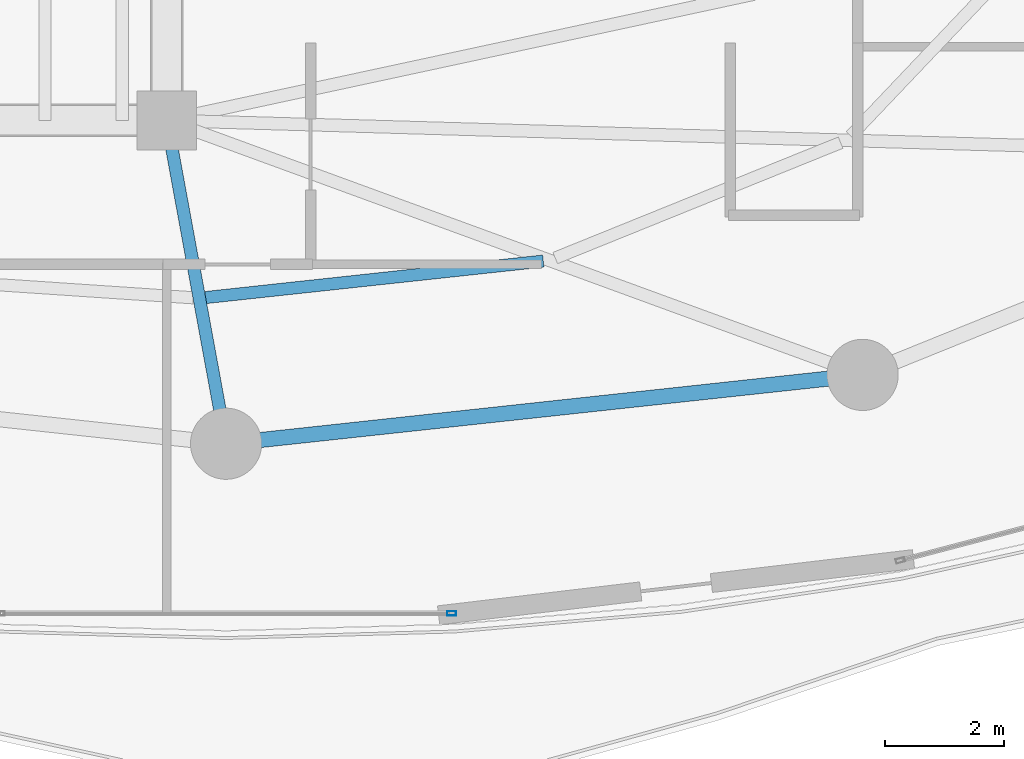
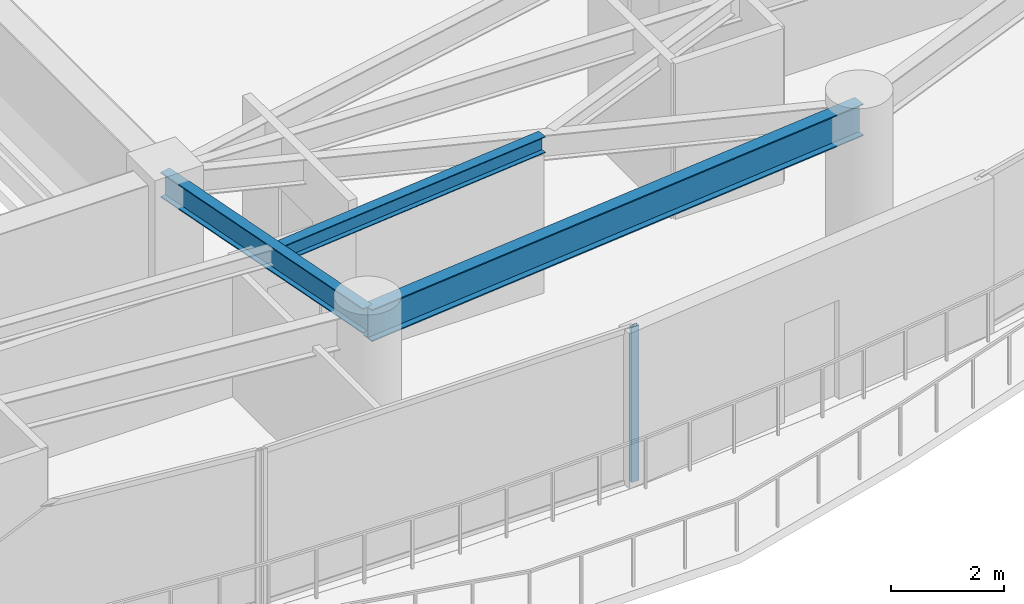
# One storey, part 10 of 34: 3 beams, 1 member, 1 element without a shape of its own.
"""IFC4 building model written with IfcOpenShell, lengths in metres."""

from ifc_helpers import new_model, si_unit, direction, frame, origin, origin_2d, place, context, subcontext, project, spatial, hollow_rectangle, i_section, extrude, material, layer, layer_set, material_profile, profile_set, type_object, element, aggregate, save


model = new_model("IFC4")

# Units and contexts
model_context = context("Model", 3, precision=1e-05, world=origin(), true_north=direction((0.0, 1.0)))
body_context = subcontext(model_context, "Body", "Model", "MODEL_VIEW")
ifc_project = project(units=[si_unit("LENGTHUNIT", "METRE"), si_unit("AREAUNIT", "SQUARE_METRE"), si_unit("VOLUMEUNIT", "CUBIC_METRE"), si_unit("PLANEANGLEUNIT", "RADIAN"), si_unit("MASSUNIT", "GRAM", prefix="KILO")], contexts=[model_context])

# Site, building, storey
site_placement = place(None, origin())
site = spatial("IfcSite", under=ifc_project, at=site_placement, CompositionType="ELEMENT")
building_placement = place(site_placement, origin())
building = spatial("IfcBuilding", under=site, at=building_placement, Name="Kazevale Care Tower and Concert Hall", CompositionType="ELEMENT")
storey_placement = place(building_placement, frame((0.0, 0.0, 160.199951171875)))
storey = spatial("IfcBuildingStorey", under=building, at=storey_placement, Name="L42", CompositionType="ELEMENT", Elevation=160.199951171875)

# Curtain wall, member
ifc_material_1 = material(Name="Aluminium 6063-T6 and Low-E Glass", Category="aluminium")
ifc_layer = layer(ifc_material_1, 0.179931640625)
ifc_layer_set = layer_set([ifc_layer], Name="Aluminium 6063-T6 and Low-E Glass")
curtain_wall_type = type_object("IfcCurtainWallType", Name="Sheltered Concave Balcony Curtain Wall CW-5", PredefinedType="NOTDEFINED", material=ifc_layer_set)
curtain_wall_placement = place(storey_placement, origin())
curtain_wall = element("IfcCurtainWall", 1, at=curtain_wall_placement, inside=storey, type_object=curtain_wall_type, Name="cw:L42:f06", PredefinedType="NOTDEFINED")
ifc_material_2 = material(Name="Aluminium 6063-T6", Category="aluminium")
ifc_material_profile_1 = material_profile(ifc_material_2, hollow_rectangle(XDim=0.074951171875, YDim=0.14990234375, WallThickness=0.00390625, at=origin_2d()), Name="ALU75x150x4")
ifc_profile_set_1 = profile_set([ifc_material_profile_1], Name="Aluminium 6063-T6")
member_type = type_object("IfcMemberType", Name="CW-5 Mullion ALU75x150x4", PredefinedType="MULLION", material=ifc_profile_set_1)
member_placement = place(storey_placement, frame((48.803466796875, 15.2890625, 0.0), z_axis=(0.0, 0.0, 1.0), x_axis=(0.0, -1.0, 0.0)))
member = element("IfcMember", 2, at=member_placement, type_object=member_type, Name="CW-5 mullion 1", PredefinedType="MULLION", context=body_context, shape_type="SweptSolid", body=[
    extrude(hollow_rectangle(XDim=0.074951171875, YDim=0.14990234375, WallThickness=0.00390625, at=origin_2d()), origin(), (0.0, 0.0, 1.0), 3.360107421875),
])
aggregate(curtain_wall, [member])

# Beams
ifc_material_3 = material(Name="Steel ASTM A572 Gr 50", Category="steel")
ifc_material_profile_2 = material_profile(ifc_material_3, i_section(OverallWidth=0.2119140625, OverallDepth=0.5439453125, WebThickness=0.01318359375, FlangeThickness=0.021240234375, at=origin_2d()), Name="W530x123")
ifc_profile_set_2 = profile_set([ifc_material_profile_2], Name="Steel ASTM A572 Gr 50")
beam_type_1 = type_object("IfcBeamType", Name="Radial Floor Girder W530x123", PredefinedType="BEAM", material=ifc_profile_set_2)
beam_1_placement = place(storey_placement, frame((44.0, 23.60009765625, 3.088134765625), z_axis=(0.180467114023, -0.983581018908, 0.0), x_axis=(0.983581018908, 0.180467114023, 0.0)))
element("IfcBeam", 3, at=beam_1_placement, inside=storey, type_object=beam_type_1, Name="beam:L42:rad:13", PredefinedType="BEAM", context=body_context, shape_type="SweptSolid", body=[
    extrude(i_section(OverallWidth=0.2119140625, OverallDepth=0.5439453125, WebThickness=0.01318359375, FlangeThickness=0.021240234375, at=origin_2d()), origin(), (0.0, 0.0, 1.0), 5.541259765625),
])
ifc_material_profile_3 = material_profile(ifc_material_3, i_section(OverallWidth=0.205078125, OverallDepth=0.35400390625, WebThickness=0.009521484375, FlangeThickness=0.016845703125, at=origin_2d()), Name="W360x79")
ifc_profile_set_3 = profile_set([ifc_material_profile_3], Name="Steel ASTM A572 Gr 50")
beam_type_2 = type_object("IfcBeamType", Name="Secondary Floor Joist W360x79", PredefinedType="JOIST", material=ifc_profile_set_3)
beam_2_placement = place(storey_placement, frame((44.654052734375, 20.614013671875, 3.18310546875), z_axis=(0.994215541126, 0.107403248482, 0.0), x_axis=(-0.107403248482, 0.994215541126, 0.0)))
element("IfcBeam", 4, at=beam_2_placement, inside=storey, type_object=beam_type_2, Name="beam:L42:joist:13", PredefinedType="JOIST", context=body_context, shape_type="SweptSolid", body=[
    extrude(i_section(OverallWidth=0.205078125, OverallDepth=0.35400390625, WebThickness=0.009521484375, FlangeThickness=0.016845703125, at=origin_2d()), origin(), (0.0, 0.0, 1.0), 5.72607421875),
])
ifc_material_profile_4 = material_profile(ifc_material_3, i_section(OverallWidth=0.256103515625, OverallDepth=0.693115234375, WebThickness=0.014404296875, FlangeThickness=0.023681640625, at=origin_2d()), Name="W690x170")
ifc_profile_set_4 = profile_set([ifc_material_profile_4], Name="Steel ASTM A572 Gr 50")
beam_type_3 = type_object("IfcBeamType", Name="Waist Ring Beam W690x170", PredefinedType="BEAM", material=ifc_profile_set_4)
beam_3_placement = place(storey_placement, frame((45.0, 18.14990234375, 3.013427734375), z_axis=(0.994205479487, 0.107496346724, 0.0), x_axis=(-0.107496346724, 0.994205479487, 0.0)))
element("IfcBeam", 5, at=beam_3_placement, inside=storey, type_object=beam_type_3, Name="beam:L42:ring:13", PredefinedType="BEAM", context=body_context, shape_type="SweptSolid", body=[
    extrude(i_section(OverallWidth=0.256103515625, OverallDepth=0.693115234375, WebThickness=0.014404296875, FlangeThickness=0.023681640625, at=origin_2d()), origin(), (0.0, 0.0, 1.0), 10.79248046875),
])

save(model, "model.ifc")
